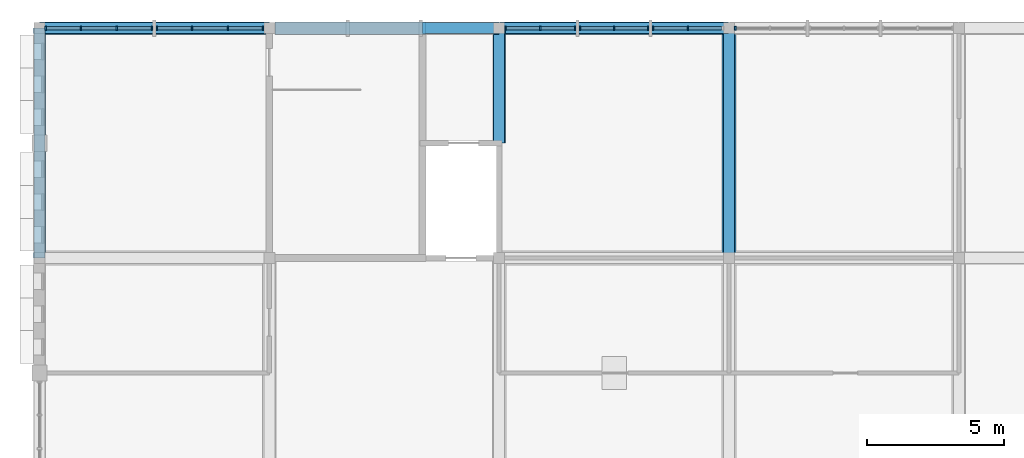
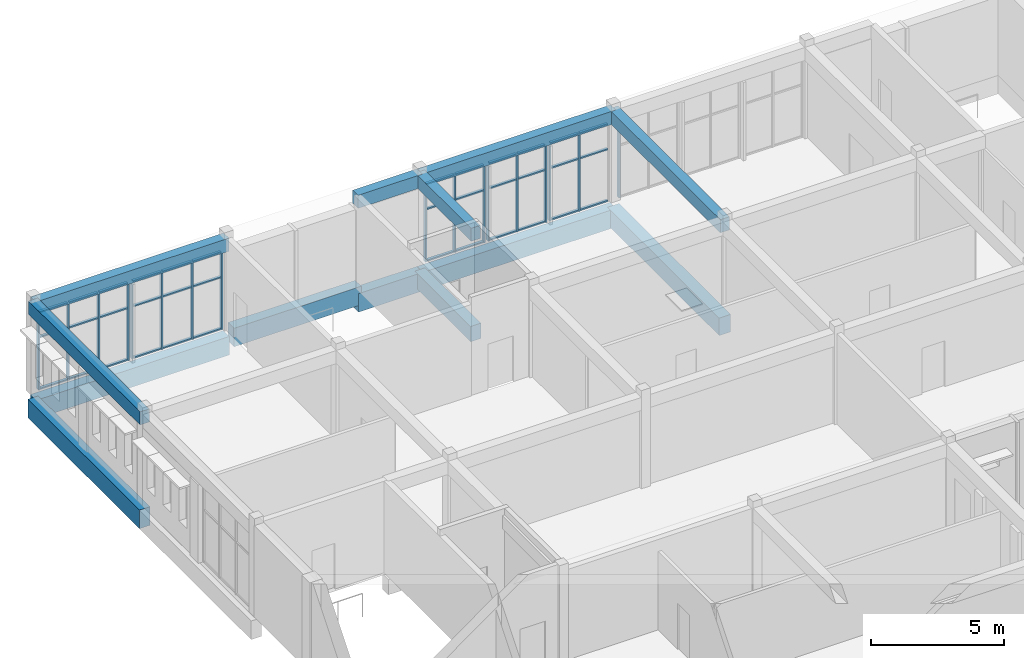
# One storey, part 6 of 15: 53 members, 13 beams, 6 elements without a shape of their own.
"""IFC4 building model written with IfcOpenShell, lengths in metres."""

from ifc_helpers import new_model, si_unit, direction, frame, origin, origin_2d, place, context, subcontext, project, spatial, rectangle, extrude, material, material_profile, profile_set, type_object, element, aggregate, save


model = new_model("IFC4")

# Units and contexts
model_context = context("Model", 3, precision=1e-05, world=origin(), true_north=direction((0.0, 1.0)))
body_context = subcontext(model_context, "Body", "Model", "MODEL_VIEW")
ifc_project = project(units=[si_unit("LENGTHUNIT", "METRE"), si_unit("AREAUNIT", "SQUARE_METRE"), si_unit("VOLUMEUNIT", "CUBIC_METRE"), si_unit("PLANEANGLEUNIT", "RADIAN"), si_unit("MASSUNIT", "GRAM", prefix="KILO")], contexts=[model_context])

# Site, building, storey
site_placement = place(None, origin())
site = spatial("IfcSite", under=ifc_project, at=site_placement, CompositionType="ELEMENT")
building_placement = place(site_placement, origin())
building = spatial("IfcBuilding", under=site, at=building_placement, Name="Fescue Hill Polytechnic", CompositionType="ELEMENT")
storey_placement = place(building_placement, frame((0.0, 0.0, 31.5)))
storey = spatial("IfcBuildingStorey", under=building, at=storey_placement, Name="L07", CompositionType="ELEMENT", Elevation=31.5)

# Beams
ifc_material_1 = material(Name="Concrete 35 MPa", Category="concrete")
ifc_material_profile_1 = material_profile(ifc_material_1, rectangle(XDim=0.39990234375, YDim=0.60009765625, at=origin_2d()), Name="RC 400x600")
ifc_profile_set_1 = profile_set([ifc_material_profile_1], Name="Concrete 35 MPa")
beam_type_1 = type_object("IfcBeamType", Name="Beam RC 400x600", PredefinedType="BEAM", material=ifc_profile_set_1)
beam_1_placement = place(storey_placement, frame((0.0, 126.0, 3.89990234375), z_axis=(0.0, 1.0, 0.0), x_axis=(-1.0, 0.0, 0.0)))
element("IfcBeam", 1, at=beam_1_placement, inside=storey, type_object=beam_type_1, Name="BR-L07-0007", PredefinedType="BEAM", context=body_context, shape_type="SweptSolid", body=[
    extrude(rectangle(XDim=0.39990234375, YDim=0.60009765625, at=origin_2d()), origin(), (0.0, 0.0, 1.0), 8.39990234375),
])
beam_2_placement = place(storey_placement, frame((0.010009765625, 134.39990234375, 3.89990234375), z_axis=(1.0, 0.0, 0.0), x_axis=(0.0, 1.0, 0.0)))
element("IfcBeam", 2, at=beam_2_placement, inside=storey, type_object=beam_type_1, Name="BR-L07-0013", PredefinedType="BEAM", context=body_context, shape_type="SweptSolid", body=[
    extrude(rectangle(XDim=0.39990234375, YDim=0.60009765625, at=origin_2d()), origin(), (0.0, 0.0, 1.0), 8.389892578125),
])
beam_3_placement = place(storey_placement, frame((14.0, 134.39990234375, 3.89990234375), z_axis=(1.0, 0.0, 0.0), x_axis=(0.0, 1.0, 0.0)))
element("IfcBeam", 3, at=beam_3_placement, inside=storey, type_object=beam_type_1, Name="BR-L07-0031", PredefinedType="BEAM", context=body_context, shape_type="SweptSolid", body=[
    extrude(rectangle(XDim=0.39990234375, YDim=0.60009765625, at=origin_2d()), origin(), (0.0, 0.0, 1.0), 2.7900390625),
])
beam_4_placement = place(storey_placement, frame((16.800048828125, 130.199951171875, 3.89990234375), z_axis=(0.0, 1.0, 0.0), x_axis=(-1.0, 0.0, 0.0)))
element("IfcBeam", 4, at=beam_4_placement, inside=storey, type_object=beam_type_1, Name="BR-L07-0042", PredefinedType="BEAM", context=body_context, shape_type="SweptSolid", body=[
    extrude(rectangle(XDim=0.39990234375, YDim=0.60009765625, at=origin_2d()), origin(), (0.0, 0.0, 1.0), 4.199951171875),
])
beam_5_placement = place(storey_placement, frame((16.81005859375, 134.39990234375, 3.89990234375), z_axis=(1.0, 0.0, 0.0), x_axis=(0.0, 1.0, 0.0)))
element("IfcBeam", 5, at=beam_5_placement, inside=storey, type_object=beam_type_1, Name="BR-L07-0050", PredefinedType="BEAM", context=body_context, shape_type="SweptSolid", body=[
    extrude(rectangle(XDim=0.39990234375, YDim=0.60009765625, at=origin_2d()), origin(), (0.0, 0.0, 1.0), 8.3798828125),
])
beam_6_placement = place(storey_placement, frame((25.199951171875, 126.0, 3.89990234375), z_axis=(0.0, 1.0, 0.0), x_axis=(-1.0, 0.0, 0.0)))
element("IfcBeam", 6, at=beam_6_placement, inside=storey, type_object=beam_type_1, Name="BR-L07-0058", PredefinedType="BEAM", context=body_context, shape_type="SweptSolid", body=[
    extrude(rectangle(XDim=0.39990234375, YDim=0.60009765625, at=origin_2d()), origin(), (0.0, 0.0, 1.0), 8.39990234375),
])
ifc_material_profile_2 = material_profile(ifc_material_1, rectangle(XDim=0.449951171875, YDim=0.699951171875, at=origin_2d()), Name="RC 450x700")
ifc_profile_set_2 = profile_set([ifc_material_profile_2], Name="Concrete 35 MPa")
beam_type_2 = type_object("IfcBeamType", Name="Beam RC 450x700", PredefinedType="BEAM", material=ifc_profile_set_2)
beam_7_placement = place(storey_placement, frame((16.800048828125, 130.199951171875, -0.64990234375), z_axis=(0.0, 1.0, 0.0), x_axis=(-1.0, 0.0, 0.0)))
element("IfcBeam", 7, at=beam_7_placement, inside=storey, type_object=beam_type_2, Name="BM-L07-0042", PredefinedType="BEAM", context=body_context, shape_type="SweptSolid", body=[
    extrude(rectangle(XDim=0.449951171875, YDim=0.699951171875, at=origin_2d()), origin(), (0.0, 0.0, 1.0), 4.199951171875),
])
ifc_material_profile_3 = material_profile(ifc_material_1, rectangle(XDim=0.449951171875, YDim=0.85009765625, at=origin_2d()), Name="RC 450x850")
ifc_profile_set_3 = profile_set([ifc_material_profile_3], Name="Concrete 35 MPa")
beam_type_3 = type_object("IfcBeamType", Name="Beam RC 450x850", PredefinedType="BEAM", material=ifc_profile_set_3)
beam_8_placement = place(storey_placement, frame((0.0, 126.0, -0.72509765625), z_axis=(0.0, 1.0, 0.0), x_axis=(-1.0, 0.0, 0.0)))
element("IfcBeam", 8, at=beam_8_placement, inside=storey, type_object=beam_type_3, Name="BM-L07-0007", PredefinedType="BEAM", context=body_context, shape_type="SweptSolid", body=[
    extrude(rectangle(XDim=0.449951171875, YDim=0.85009765625, at=origin_2d()), origin(), (0.0, 0.0, 1.0), 8.39990234375),
])
beam_9_placement = place(storey_placement, frame((0.010009765625, 134.39990234375, -0.72509765625), z_axis=(1.0, 0.0, 0.0), x_axis=(0.0, 1.0, 0.0)))
element("IfcBeam", 9, at=beam_9_placement, inside=storey, type_object=beam_type_3, Name="BM-L07-0013", PredefinedType="BEAM", context=body_context, shape_type="SweptSolid", body=[
    extrude(rectangle(XDim=0.449951171875, YDim=0.85009765625, at=origin_2d()), origin(), (0.0, 0.0, 1.0), 8.389892578125),
])
beam_10_placement = place(storey_placement, frame((14.0, 134.39990234375, -0.72509765625), z_axis=(1.0, 0.0, 0.0), x_axis=(0.0, 1.0, 0.0)))
element("IfcBeam", 10, at=beam_10_placement, inside=storey, type_object=beam_type_3, Name="BM-L07-0031", PredefinedType="BEAM", context=body_context, shape_type="SweptSolid", body=[
    extrude(rectangle(XDim=0.449951171875, YDim=0.85009765625, at=origin_2d()), origin(), (0.0, 0.0, 1.0), 2.7900390625),
])
beam_11_placement = place(storey_placement, frame((16.81005859375, 134.39990234375, -0.72509765625), z_axis=(1.0, 0.0, 0.0), x_axis=(0.0, 1.0, 0.0)))
element("IfcBeam", 11, at=beam_11_placement, inside=storey, type_object=beam_type_3, Name="BM-L07-0050", PredefinedType="BEAM", context=body_context, shape_type="SweptSolid", body=[
    extrude(rectangle(XDim=0.449951171875, YDim=0.85009765625, at=origin_2d()), origin(), (0.0, 0.0, 1.0), 8.3798828125),
])
beam_12_placement = place(storey_placement, frame((8.60009765625, 134.39990234375, -0.425048828125), z_axis=(1.0, 0.0, 0.0), x_axis=(0.0, 1.0, 0.0)))
element("IfcBeam", 12, at=beam_12_placement, inside=storey, type_object=beam_type_3, Name="BM-L07-0073", PredefinedType="BEAM", context=body_context, shape_type="SweptSolid", body=[
    extrude(rectangle(XDim=0.449951171875, YDim=0.85009765625, at=origin_2d()), origin(), (0.0, 0.0, 1.0), 5.52490234375),
])
ifc_material_profile_4 = material_profile(ifc_material_1, rectangle(XDim=0.5, YDim=0.800048828125, at=origin_2d()), Name="RC 500x800")
ifc_profile_set_4 = profile_set([ifc_material_profile_4], Name="Concrete 35 MPa")
beam_type_4 = type_object("IfcBeamType", Name="Beam RC 500x800", PredefinedType="BEAM", material=ifc_profile_set_4)
beam_13_placement = place(storey_placement, frame((25.199951171875, 126.0, -0.699951171875), z_axis=(0.0, 1.0, 0.0), x_axis=(-1.0, 0.0, 0.0)))
element("IfcBeam", 13, at=beam_13_placement, inside=storey, type_object=beam_type_4, Name="BM-L07-0058", PredefinedType="BEAM", context=body_context, shape_type="SweptSolid", body=[
    extrude(rectangle(XDim=0.5, YDim=0.800048828125, at=origin_2d()), origin(), (0.0, 0.0, 1.0), 8.39990234375),
])

# Curtain wall, member
ifc_material_2 = material(Name="Glass", Category="glass")
curtain_wall_type = type_object("IfcCurtainWallType", Name="Curtain wall structural glazing", PredefinedType="NOTDEFINED", material=ifc_material_2)
curtain_wall_1_placement = place(storey_placement, origin())
curtain_wall_1 = element("IfcCurtainWall", 14, at=curtain_wall_1_placement, inside=storey, type_object=curtain_wall_type, Name="CW-L07-V5-3", PredefinedType="NOTDEFINED")
ifc_material_3 = material(Name="Powder-coated aluminium", Category="aluminium")
ifc_material_profile_5 = material_profile(ifc_material_3, rectangle(XDim=0.159912109375, YDim=0.06005859375, at=origin_2d()), Name="Mullion aluminium 60x160")
ifc_profile_set_5 = profile_set([ifc_material_profile_5], Name="Powder-coated aluminium")
member_type_1 = type_object("IfcMemberType", Name="Mullion aluminium 60x160", PredefinedType="MULLION", material=ifc_profile_set_5)
member_1_placement = place(storey_placement, frame((25.429931640625, 134.39990234375, 0.0), z_axis=(0.0, 0.0, 1.0), x_axis=(0.0, -1.0, 0.0)))
member_1 = element("IfcMember", 15, at=member_1_placement, type_object=member_type_1, Name="CW108 mullion 3", PredefinedType="MULLION", context=body_context, shape_type="SweptSolid", body=[
    extrude(rectangle(XDim=0.159912109375, YDim=0.06005859375, at=origin_2d()), origin(), (0.0, 0.0, 1.0), 3.580078125),
])
aggregate(curtain_wall_1, [member_1])

# Curtain wall, members
curtain_wall_2_placement = place(storey_placement, origin())
curtain_wall_2 = element("IfcCurtainWall", 16, at=curtain_wall_2_placement, inside=storey, type_object=curtain_wall_type, Name="CW-L07-V5-4", PredefinedType="NOTDEFINED")
member_2_placement = place(storey_placement, frame((23.696533203125, 134.39990234375, 0.0), z_axis=(0.0, 0.0, 1.0), x_axis=(0.0, -1.0, 0.0)))
member_2 = element("IfcMember", 17, at=member_2_placement, type_object=member_type_1, Name="CW109 mullion 2", PredefinedType="MULLION", context=body_context, shape_type="SweptSolid", body=[
    extrude(rectangle(XDim=0.159912109375, YDim=0.06005859375, at=origin_2d()), origin(), (0.0, 0.0, 1.0), 3.580078125),
])
member_3_placement = place(storey_placement, frame((22.42333984375, 134.39990234375, 0.0), z_axis=(0.0, 0.0, 1.0), x_axis=(0.0, -1.0, 0.0)))
member_3 = element("IfcMember", 18, at=member_3_placement, type_object=member_type_1, Name="CW109 mullion 3", PredefinedType="MULLION", context=body_context, shape_type="SweptSolid", body=[
    extrude(rectangle(XDim=0.159912109375, YDim=0.06005859375, at=origin_2d()), origin(), (0.0, 0.0, 1.0), 3.580078125),
])

curtain_wall_3_placement = place(storey_placement, origin())
curtain_wall_3 = element("IfcCurtainWall", 19, at=curtain_wall_3_placement, inside=storey, type_object=curtain_wall_type, Name="CW-L07-V5-5", PredefinedType="NOTDEFINED")
member_4_placement = place(storey_placement, frame((22.243408203125, 134.39990234375, 0.0), z_axis=(0.0, 0.0, 1.0), x_axis=(0.0, -1.0, 0.0)))
member_4 = element("IfcMember", 20, at=member_4_placement, type_object=member_type_1, Name="CW110 mullion 1", PredefinedType="MULLION", context=body_context, shape_type="SweptSolid", body=[
    extrude(rectangle(XDim=0.159912109375, YDim=0.06005859375, at=origin_2d()), origin(), (0.0, 0.0, 1.0), 3.580078125),
])
member_5_placement = place(storey_placement, frame((21.0, 134.39990234375, 0.0), z_axis=(0.0, 0.0, 1.0), x_axis=(0.0, -1.0, 0.0)))
member_5 = element("IfcMember", 21, at=member_5_placement, type_object=member_type_1, Name="CW110 mullion 2", PredefinedType="MULLION", context=body_context, shape_type="SweptSolid", body=[
    extrude(rectangle(XDim=0.159912109375, YDim=0.06005859375, at=origin_2d()), origin(), (0.0, 0.0, 1.0), 3.580078125),
])
member_6_placement = place(storey_placement, frame((19.756591796875, 134.39990234375, 0.0), z_axis=(0.0, 0.0, 1.0), x_axis=(0.0, -1.0, 0.0)))
member_6 = element("IfcMember", 22, at=member_6_placement, type_object=member_type_1, Name="CW110 mullion 3", PredefinedType="MULLION", context=body_context, shape_type="SweptSolid", body=[
    extrude(rectangle(XDim=0.159912109375, YDim=0.06005859375, at=origin_2d()), origin(), (0.0, 0.0, 1.0), 3.580078125),
])

curtain_wall_4_placement = place(storey_placement, origin())
curtain_wall_4 = element("IfcCurtainWall", 23, at=curtain_wall_4_placement, inside=storey, type_object=curtain_wall_type, Name="CW-L07-V5-6", PredefinedType="NOTDEFINED")
member_7_placement = place(storey_placement, frame((19.57666015625, 134.39990234375, 0.0), z_axis=(0.0, 0.0, 1.0), x_axis=(0.0, -1.0, 0.0)))
member_7 = element("IfcMember", 24, at=member_7_placement, type_object=member_type_1, Name="CW111 mullion 1", PredefinedType="MULLION", context=body_context, shape_type="SweptSolid", body=[
    extrude(rectangle(XDim=0.159912109375, YDim=0.06005859375, at=origin_2d()), origin(), (0.0, 0.0, 1.0), 3.580078125),
])
member_8_placement = place(storey_placement, frame((18.303466796875, 134.39990234375, 0.0), z_axis=(0.0, 0.0, 1.0), x_axis=(0.0, -1.0, 0.0)))
member_8 = element("IfcMember", 25, at=member_8_placement, type_object=member_type_1, Name="CW111 mullion 2", PredefinedType="MULLION", context=body_context, shape_type="SweptSolid", body=[
    extrude(rectangle(XDim=0.159912109375, YDim=0.06005859375, at=origin_2d()), origin(), (0.0, 0.0, 1.0), 3.580078125),
])
member_9_placement = place(storey_placement, frame((17.030029296875, 134.39990234375, 0.0), z_axis=(0.0, 0.0, 1.0), x_axis=(0.0, -1.0, 0.0)))
member_9 = element("IfcMember", 26, at=member_9_placement, type_object=member_type_1, Name="CW111 mullion 3", PredefinedType="MULLION", context=body_context, shape_type="SweptSolid", body=[
    extrude(rectangle(XDim=0.159912109375, YDim=0.06005859375, at=origin_2d()), origin(), (0.0, 0.0, 1.0), 3.580078125),
])

curtain_wall_5_placement = place(storey_placement, origin())
curtain_wall_5 = element("IfcCurtainWall", 27, at=curtain_wall_5_placement, inside=storey, type_object=curtain_wall_type, Name="CW-L07-V5-7", PredefinedType="NOTDEFINED")
member_10_placement = place(storey_placement, frame((4.110107421875, 134.39990234375, 0.0), z_axis=(0.0, 0.0, 1.0), x_axis=(0.0, -1.0, 0.0)))
member_10 = element("IfcMember", 28, at=member_10_placement, type_object=member_type_1, Name="CW112 mullion 1", PredefinedType="MULLION", context=body_context, shape_type="SweptSolid", body=[
    extrude(rectangle(XDim=0.159912109375, YDim=0.06005859375, at=origin_2d()), origin(), (0.0, 0.0, 1.0), 3.580078125),
])
member_11_placement = place(storey_placement, frame((2.82666015625, 134.39990234375, 0.0), z_axis=(0.0, 0.0, 1.0), x_axis=(0.0, -1.0, 0.0)))
member_11 = element("IfcMember", 29, at=member_11_placement, type_object=member_type_1, Name="CW112 mullion 2", PredefinedType="MULLION", context=body_context, shape_type="SweptSolid", body=[
    extrude(rectangle(XDim=0.159912109375, YDim=0.06005859375, at=origin_2d()), origin(), (0.0, 0.0, 1.0), 3.580078125),
])
member_12_placement = place(storey_placement, frame((1.513427734375, 134.39990234375, 0.0), z_axis=(0.0, 0.0, 1.0), x_axis=(0.0, -1.0, 0.0)))
member_12 = element("IfcMember", 30, at=member_12_placement, type_object=member_type_1, Name="CW112 mullion 3", PredefinedType="MULLION", context=body_context, shape_type="SweptSolid", body=[
    extrude(rectangle(XDim=0.159912109375, YDim=0.06005859375, at=origin_2d()), origin(), (0.0, 0.0, 1.0), 3.580078125),
])
member_13_placement = place(storey_placement, frame((0.22998046875, 134.39990234375, 0.0), z_axis=(0.0, 0.0, 1.0), x_axis=(0.0, -1.0, 0.0)))
member_13 = element("IfcMember", 31, at=member_13_placement, type_object=member_type_1, Name="CW112 mullion 4", PredefinedType="MULLION", context=body_context, shape_type="SweptSolid", body=[
    extrude(rectangle(XDim=0.159912109375, YDim=0.06005859375, at=origin_2d()), origin(), (0.0, 0.0, 1.0), 3.580078125),
])

curtain_wall_6_placement = place(storey_placement, origin())
curtain_wall_6 = element("IfcCurtainWall", 32, at=curtain_wall_6_placement, inside=storey, type_object=curtain_wall_type, Name="CW-L07-V5-X3", PredefinedType="NOTDEFINED")
member_14_placement = place(storey_placement, frame((8.169921875, 134.39990234375, 0.0), z_axis=(0.0, 0.0, 1.0), x_axis=(0.0, -1.0, 0.0)))
member_14 = element("IfcMember", 33, at=member_14_placement, type_object=member_type_1, Name="CW162 mullion 1", PredefinedType="MULLION", context=body_context, shape_type="SweptSolid", body=[
    extrude(rectangle(XDim=0.159912109375, YDim=0.06005859375, at=origin_2d()), origin(), (0.0, 0.0, 1.0), 3.580078125),
])
member_15_placement = place(storey_placement, frame((6.88671875, 134.39990234375, 0.0), z_axis=(0.0, 0.0, 1.0), x_axis=(0.0, -1.0, 0.0)))
member_15 = element("IfcMember", 34, at=member_15_placement, type_object=member_type_1, Name="CW162 mullion 2", PredefinedType="MULLION", context=body_context, shape_type="SweptSolid", body=[
    extrude(rectangle(XDim=0.159912109375, YDim=0.06005859375, at=origin_2d()), origin(), (0.0, 0.0, 1.0), 3.580078125),
])
member_16_placement = place(storey_placement, frame((5.5732421875, 134.39990234375, 0.0), z_axis=(0.0, 0.0, 1.0), x_axis=(0.0, -1.0, 0.0)))
member_16 = element("IfcMember", 35, at=member_16_placement, type_object=member_type_1, Name="CW162 mullion 3", PredefinedType="MULLION", context=body_context, shape_type="SweptSolid", body=[
    extrude(rectangle(XDim=0.159912109375, YDim=0.06005859375, at=origin_2d()), origin(), (0.0, 0.0, 1.0), 3.580078125),
])
member_17_placement = place(storey_placement, frame((4.2900390625, 134.39990234375, 0.0), z_axis=(0.0, 0.0, 1.0), x_axis=(0.0, -1.0, 0.0)))
member_17 = element("IfcMember", 36, at=member_17_placement, type_object=member_type_1, Name="CW162 mullion 4", PredefinedType="MULLION", context=body_context, shape_type="SweptSolid", body=[
    extrude(rectangle(XDim=0.159912109375, YDim=0.06005859375, at=origin_2d()), origin(), (0.0, 0.0, 1.0), 3.580078125),
])

# Member
ifc_material_profile_6 = material_profile(ifc_material_3, rectangle(XDim=0.1201171875, YDim=0.06005859375, at=origin_2d()), Name="Transom aluminium 60x120")
ifc_profile_set_6 = profile_set([ifc_material_profile_6], Name="Powder-coated aluminium")
member_type_2 = type_object("IfcMemberType", Name="Transom aluminium 60x120", PredefinedType="USERDEFINED", material=ifc_profile_set_6)
member_18_placement = place(storey_placement, frame((24.93994140625, 134.39990234375, 0.030029296875), z_axis=(-1.0, 0.0, 0.0), x_axis=(0.0, -1.0, 0.0)))
member_18 = element("IfcMember", 37, at=member_18_placement, type_object=member_type_2, Name="CW109 transom 1.1", ObjectType="TRANSOM", PredefinedType="USERDEFINED", context=body_context, shape_type="SweptSolid", body=[
    extrude(rectangle(XDim=0.1201171875, YDim=0.06005859375, at=origin_2d()), origin(), (0.0, 0.0, 1.0), 1.21337890625),
])

member_19_placement = place(storey_placement, frame((24.93994140625, 134.39990234375, 2.39990234375), z_axis=(-1.0, 0.0, 0.0), x_axis=(0.0, -1.0, 0.0)))
member_19 = element("IfcMember", 38, at=member_19_placement, type_object=member_type_2, Name="CW109 transom 1.2", ObjectType="TRANSOM", PredefinedType="USERDEFINED", context=body_context, shape_type="SweptSolid", body=[
    extrude(rectangle(XDim=0.1201171875, YDim=0.06005859375, at=origin_2d()), origin(), (0.0, 0.0, 1.0), 1.21337890625),
])

member_20_placement = place(storey_placement, frame((24.93994140625, 134.39990234375, 3.550048828125), z_axis=(-1.0, 0.0, 0.0), x_axis=(0.0, -1.0, 0.0)))
member_20 = element("IfcMember", 39, at=member_20_placement, type_object=member_type_2, Name="CW109 transom 1.3", ObjectType="TRANSOM", PredefinedType="USERDEFINED", context=body_context, shape_type="SweptSolid", body=[
    extrude(rectangle(XDim=0.1201171875, YDim=0.06005859375, at=origin_2d()), origin(), (0.0, 0.0, 1.0), 1.21337890625),
])

member_21_placement = place(storey_placement, frame((23.666748046875, 134.39990234375, 0.030029296875), z_axis=(-1.0, 0.0, 0.0), x_axis=(0.0, -1.0, 0.0)))
member_21 = element("IfcMember", 40, at=member_21_placement, type_object=member_type_2, Name="CW109 transom 2.1", ObjectType="TRANSOM", PredefinedType="USERDEFINED", context=body_context, shape_type="SweptSolid", body=[
    extrude(rectangle(XDim=0.1201171875, YDim=0.06005859375, at=origin_2d()), origin(), (0.0, 0.0, 1.0), 1.21337890625),
])

member_22_placement = place(storey_placement, frame((23.666748046875, 134.39990234375, 2.39990234375), z_axis=(-1.0, 0.0, 0.0), x_axis=(0.0, -1.0, 0.0)))
member_22 = element("IfcMember", 41, at=member_22_placement, type_object=member_type_2, Name="CW109 transom 2.2", ObjectType="TRANSOM", PredefinedType="USERDEFINED", context=body_context, shape_type="SweptSolid", body=[
    extrude(rectangle(XDim=0.1201171875, YDim=0.06005859375, at=origin_2d()), origin(), (0.0, 0.0, 1.0), 1.21337890625),
])

member_23_placement = place(storey_placement, frame((23.666748046875, 134.39990234375, 3.550048828125), z_axis=(-1.0, 0.0, 0.0), x_axis=(0.0, -1.0, 0.0)))
member_23 = element("IfcMember", 42, at=member_23_placement, type_object=member_type_2, Name="CW109 transom 2.3", ObjectType="TRANSOM", PredefinedType="USERDEFINED", context=body_context, shape_type="SweptSolid", body=[
    extrude(rectangle(XDim=0.1201171875, YDim=0.06005859375, at=origin_2d()), origin(), (0.0, 0.0, 1.0), 1.21337890625),
])

aggregate(curtain_wall_2, [member_2, member_3, member_18, member_19, member_20, member_21, member_22, member_23])

member_24_placement = place(storey_placement, frame((22.21337890625, 134.39990234375, 0.030029296875), z_axis=(-1.0, 0.0, 0.0), x_axis=(0.0, -1.0, 0.0)))
member_24 = element("IfcMember", 43, at=member_24_placement, type_object=member_type_2, Name="CW110 transom 1.1", ObjectType="TRANSOM", PredefinedType="USERDEFINED", context=body_context, shape_type="SweptSolid", body=[
    extrude(rectangle(XDim=0.1201171875, YDim=0.06005859375, at=origin_2d()), origin(), (0.0, 0.0, 1.0), 1.183349609375),
])

member_25_placement = place(storey_placement, frame((22.21337890625, 134.39990234375, 2.39990234375), z_axis=(-1.0, 0.0, 0.0), x_axis=(0.0, -1.0, 0.0)))
member_25 = element("IfcMember", 44, at=member_25_placement, type_object=member_type_2, Name="CW110 transom 1.2", ObjectType="TRANSOM", PredefinedType="USERDEFINED", context=body_context, shape_type="SweptSolid", body=[
    extrude(rectangle(XDim=0.1201171875, YDim=0.06005859375, at=origin_2d()), origin(), (0.0, 0.0, 1.0), 1.183349609375),
])

member_26_placement = place(storey_placement, frame((22.21337890625, 134.39990234375, 3.550048828125), z_axis=(-1.0, 0.0, 0.0), x_axis=(0.0, -1.0, 0.0)))
member_26 = element("IfcMember", 45, at=member_26_placement, type_object=member_type_2, Name="CW110 transom 1.3", ObjectType="TRANSOM", PredefinedType="USERDEFINED", context=body_context, shape_type="SweptSolid", body=[
    extrude(rectangle(XDim=0.1201171875, YDim=0.06005859375, at=origin_2d()), origin(), (0.0, 0.0, 1.0), 1.183349609375),
])

member_27_placement = place(storey_placement, frame((20.969970703125, 134.39990234375, 0.030029296875), z_axis=(-1.0, 0.0, 0.0), x_axis=(0.0, -1.0, 0.0)))
member_27 = element("IfcMember", 46, at=member_27_placement, type_object=member_type_2, Name="CW110 transom 2.1", ObjectType="TRANSOM", PredefinedType="USERDEFINED", context=body_context, shape_type="SweptSolid", body=[
    extrude(rectangle(XDim=0.1201171875, YDim=0.06005859375, at=origin_2d()), origin(), (0.0, 0.0, 1.0), 1.183349609375),
])

member_28_placement = place(storey_placement, frame((20.969970703125, 134.39990234375, 2.39990234375), z_axis=(-1.0, 0.0, 0.0), x_axis=(0.0, -1.0, 0.0)))
member_28 = element("IfcMember", 47, at=member_28_placement, type_object=member_type_2, Name="CW110 transom 2.2", ObjectType="TRANSOM", PredefinedType="USERDEFINED", context=body_context, shape_type="SweptSolid", body=[
    extrude(rectangle(XDim=0.1201171875, YDim=0.06005859375, at=origin_2d()), origin(), (0.0, 0.0, 1.0), 1.183349609375),
])

member_29_placement = place(storey_placement, frame((20.969970703125, 134.39990234375, 3.550048828125), z_axis=(-1.0, 0.0, 0.0), x_axis=(0.0, -1.0, 0.0)))
member_29 = element("IfcMember", 48, at=member_29_placement, type_object=member_type_2, Name="CW110 transom 2.3", ObjectType="TRANSOM", PredefinedType="USERDEFINED", context=body_context, shape_type="SweptSolid", body=[
    extrude(rectangle(XDim=0.1201171875, YDim=0.06005859375, at=origin_2d()), origin(), (0.0, 0.0, 1.0), 1.183349609375),
])

aggregate(curtain_wall_3, [member_4, member_5, member_6, member_24, member_25, member_26, member_27, member_28, member_29])

member_30_placement = place(storey_placement, frame((19.546630859375, 134.39990234375, 0.030029296875), z_axis=(-1.0, 0.0, 0.0), x_axis=(0.0, -1.0, 0.0)))
member_30 = element("IfcMember", 49, at=member_30_placement, type_object=member_type_2, Name="CW111 transom 1.1", ObjectType="TRANSOM", PredefinedType="USERDEFINED", context=body_context, shape_type="SweptSolid", body=[
    extrude(rectangle(XDim=0.1201171875, YDim=0.06005859375, at=origin_2d()), origin(), (0.0, 0.0, 1.0), 1.21337890625),
])

member_31_placement = place(storey_placement, frame((19.546630859375, 134.39990234375, 2.39990234375), z_axis=(-1.0, 0.0, 0.0), x_axis=(0.0, -1.0, 0.0)))
member_31 = element("IfcMember", 50, at=member_31_placement, type_object=member_type_2, Name="CW111 transom 1.2", ObjectType="TRANSOM", PredefinedType="USERDEFINED", context=body_context, shape_type="SweptSolid", body=[
    extrude(rectangle(XDim=0.1201171875, YDim=0.06005859375, at=origin_2d()), origin(), (0.0, 0.0, 1.0), 1.21337890625),
])

member_32_placement = place(storey_placement, frame((19.546630859375, 134.39990234375, 3.550048828125), z_axis=(-1.0, 0.0, 0.0), x_axis=(0.0, -1.0, 0.0)))
member_32 = element("IfcMember", 51, at=member_32_placement, type_object=member_type_2, Name="CW111 transom 1.3", ObjectType="TRANSOM", PredefinedType="USERDEFINED", context=body_context, shape_type="SweptSolid", body=[
    extrude(rectangle(XDim=0.1201171875, YDim=0.06005859375, at=origin_2d()), origin(), (0.0, 0.0, 1.0), 1.21337890625),
])

member_33_placement = place(storey_placement, frame((18.2734375, 134.39990234375, 0.030029296875), z_axis=(-1.0, 0.0, 0.0), x_axis=(0.0, -1.0, 0.0)))
member_33 = element("IfcMember", 52, at=member_33_placement, type_object=member_type_2, Name="CW111 transom 2.1", ObjectType="TRANSOM", PredefinedType="USERDEFINED", context=body_context, shape_type="SweptSolid", body=[
    extrude(rectangle(XDim=0.1201171875, YDim=0.06005859375, at=origin_2d()), origin(), (0.0, 0.0, 1.0), 1.21337890625),
])

member_34_placement = place(storey_placement, frame((18.2734375, 134.39990234375, 2.39990234375), z_axis=(-1.0, 0.0, 0.0), x_axis=(0.0, -1.0, 0.0)))
member_34 = element("IfcMember", 53, at=member_34_placement, type_object=member_type_2, Name="CW111 transom 2.2", ObjectType="TRANSOM", PredefinedType="USERDEFINED", context=body_context, shape_type="SweptSolid", body=[
    extrude(rectangle(XDim=0.1201171875, YDim=0.06005859375, at=origin_2d()), origin(), (0.0, 0.0, 1.0), 1.21337890625),
])

member_35_placement = place(storey_placement, frame((18.2734375, 134.39990234375, 3.550048828125), z_axis=(-1.0, 0.0, 0.0), x_axis=(0.0, -1.0, 0.0)))
member_35 = element("IfcMember", 54, at=member_35_placement, type_object=member_type_2, Name="CW111 transom 2.3", ObjectType="TRANSOM", PredefinedType="USERDEFINED", context=body_context, shape_type="SweptSolid", body=[
    extrude(rectangle(XDim=0.1201171875, YDim=0.06005859375, at=origin_2d()), origin(), (0.0, 0.0, 1.0), 1.21337890625),
])

aggregate(curtain_wall_4, [member_7, member_8, member_9, member_30, member_31, member_32, member_33, member_34, member_35])

member_36_placement = place(storey_placement, frame((4.080078125, 134.39990234375, 0.030029296875), z_axis=(-1.0, 0.0, 0.0), x_axis=(0.0, -1.0, 0.0)))
member_36 = element("IfcMember", 55, at=member_36_placement, type_object=member_type_2, Name="CW112 transom 1.1", ObjectType="TRANSOM", PredefinedType="USERDEFINED", context=body_context, shape_type="SweptSolid", body=[
    extrude(rectangle(XDim=0.1201171875, YDim=0.06005859375, at=origin_2d()), origin(), (0.0, 0.0, 1.0), 1.223388671875),
])

member_37_placement = place(storey_placement, frame((4.080078125, 134.39990234375, 2.39990234375), z_axis=(-1.0, 0.0, 0.0), x_axis=(0.0, -1.0, 0.0)))
member_37 = element("IfcMember", 56, at=member_37_placement, type_object=member_type_2, Name="CW112 transom 1.2", ObjectType="TRANSOM", PredefinedType="USERDEFINED", context=body_context, shape_type="SweptSolid", body=[
    extrude(rectangle(XDim=0.1201171875, YDim=0.06005859375, at=origin_2d()), origin(), (0.0, 0.0, 1.0), 1.223388671875),
])

member_38_placement = place(storey_placement, frame((4.080078125, 134.39990234375, 3.550048828125), z_axis=(-1.0, 0.0, 0.0), x_axis=(0.0, -1.0, 0.0)))
member_38 = element("IfcMember", 57, at=member_38_placement, type_object=member_type_2, Name="CW112 transom 1.3", ObjectType="TRANSOM", PredefinedType="USERDEFINED", context=body_context, shape_type="SweptSolid", body=[
    extrude(rectangle(XDim=0.1201171875, YDim=0.06005859375, at=origin_2d()), origin(), (0.0, 0.0, 1.0), 1.223388671875),
])

member_39_placement = place(storey_placement, frame((2.796630859375, 134.39990234375, 0.030029296875), z_axis=(-1.0, 0.0, 0.0), x_axis=(0.0, -1.0, 0.0)))
member_39 = element("IfcMember", 58, at=member_39_placement, type_object=member_type_2, Name="CW112 transom 2.1", ObjectType="TRANSOM", PredefinedType="USERDEFINED", context=body_context, shape_type="SweptSolid", body=[
    extrude(rectangle(XDim=0.1201171875, YDim=0.06005859375, at=origin_2d()), origin(), (0.0, 0.0, 1.0), 1.25341796875),
])

member_40_placement = place(storey_placement, frame((2.796630859375, 134.39990234375, 2.39990234375), z_axis=(-1.0, 0.0, 0.0), x_axis=(0.0, -1.0, 0.0)))
member_40 = element("IfcMember", 59, at=member_40_placement, type_object=member_type_2, Name="CW112 transom 2.2", ObjectType="TRANSOM", PredefinedType="USERDEFINED", context=body_context, shape_type="SweptSolid", body=[
    extrude(rectangle(XDim=0.1201171875, YDim=0.06005859375, at=origin_2d()), origin(), (0.0, 0.0, 1.0), 1.25341796875),
])

member_41_placement = place(storey_placement, frame((2.796630859375, 134.39990234375, 3.550048828125), z_axis=(-1.0, 0.0, 0.0), x_axis=(0.0, -1.0, 0.0)))
member_41 = element("IfcMember", 60, at=member_41_placement, type_object=member_type_2, Name="CW112 transom 2.3", ObjectType="TRANSOM", PredefinedType="USERDEFINED", context=body_context, shape_type="SweptSolid", body=[
    extrude(rectangle(XDim=0.1201171875, YDim=0.06005859375, at=origin_2d()), origin(), (0.0, 0.0, 1.0), 1.25341796875),
])

member_42_placement = place(storey_placement, frame((1.4833984375, 134.39990234375, 0.030029296875), z_axis=(-1.0, 0.0, 0.0), x_axis=(0.0, -1.0, 0.0)))
member_42 = element("IfcMember", 61, at=member_42_placement, type_object=member_type_2, Name="CW112 transom 3.1", ObjectType="TRANSOM", PredefinedType="USERDEFINED", context=body_context, shape_type="SweptSolid", body=[
    extrude(rectangle(XDim=0.1201171875, YDim=0.06005859375, at=origin_2d()), origin(), (0.0, 0.0, 1.0), 1.223388671875),
])

member_43_placement = place(storey_placement, frame((1.4833984375, 134.39990234375, 2.39990234375), z_axis=(-1.0, 0.0, 0.0), x_axis=(0.0, -1.0, 0.0)))
member_43 = element("IfcMember", 62, at=member_43_placement, type_object=member_type_2, Name="CW112 transom 3.2", ObjectType="TRANSOM", PredefinedType="USERDEFINED", context=body_context, shape_type="SweptSolid", body=[
    extrude(rectangle(XDim=0.1201171875, YDim=0.06005859375, at=origin_2d()), origin(), (0.0, 0.0, 1.0), 1.223388671875),
])

member_44_placement = place(storey_placement, frame((1.4833984375, 134.39990234375, 3.550048828125), z_axis=(-1.0, 0.0, 0.0), x_axis=(0.0, -1.0, 0.0)))
member_44 = element("IfcMember", 63, at=member_44_placement, type_object=member_type_2, Name="CW112 transom 3.3", ObjectType="TRANSOM", PredefinedType="USERDEFINED", context=body_context, shape_type="SweptSolid", body=[
    extrude(rectangle(XDim=0.1201171875, YDim=0.06005859375, at=origin_2d()), origin(), (0.0, 0.0, 1.0), 1.223388671875),
])

aggregate(curtain_wall_5, [member_10, member_11, member_12, member_13, member_36, member_37, member_38, member_39, member_40, member_41, member_42, member_43, member_44])

member_45_placement = place(storey_placement, frame((8.139892578125, 134.39990234375, 0.030029296875), z_axis=(-1.0, 0.0, 0.0), x_axis=(0.0, -1.0, 0.0)))
member_45 = element("IfcMember", 64, at=member_45_placement, type_object=member_type_2, Name="CW162 transom 1.1", ObjectType="TRANSOM", PredefinedType="USERDEFINED", context=body_context, shape_type="SweptSolid", body=[
    extrude(rectangle(XDim=0.1201171875, YDim=0.06005859375, at=origin_2d()), origin(), (0.0, 0.0, 1.0), 1.22314453125),
])

member_46_placement = place(storey_placement, frame((8.139892578125, 134.39990234375, 2.39990234375), z_axis=(-1.0, 0.0, 0.0), x_axis=(0.0, -1.0, 0.0)))
member_46 = element("IfcMember", 65, at=member_46_placement, type_object=member_type_2, Name="CW162 transom 1.2", ObjectType="TRANSOM", PredefinedType="USERDEFINED", context=body_context, shape_type="SweptSolid", body=[
    extrude(rectangle(XDim=0.1201171875, YDim=0.06005859375, at=origin_2d()), origin(), (0.0, 0.0, 1.0), 1.22314453125),
])

member_47_placement = place(storey_placement, frame((8.139892578125, 134.39990234375, 3.550048828125), z_axis=(-1.0, 0.0, 0.0), x_axis=(0.0, -1.0, 0.0)))
member_47 = element("IfcMember", 66, at=member_47_placement, type_object=member_type_2, Name="CW162 transom 1.3", ObjectType="TRANSOM", PredefinedType="USERDEFINED", context=body_context, shape_type="SweptSolid", body=[
    extrude(rectangle(XDim=0.1201171875, YDim=0.06005859375, at=origin_2d()), origin(), (0.0, 0.0, 1.0), 1.22314453125),
])

member_48_placement = place(storey_placement, frame((6.856689453125, 134.39990234375, 0.030029296875), z_axis=(-1.0, 0.0, 0.0), x_axis=(0.0, -1.0, 0.0)))
member_48 = element("IfcMember", 67, at=member_48_placement, type_object=member_type_2, Name="CW162 transom 2.1", ObjectType="TRANSOM", PredefinedType="USERDEFINED", context=body_context, shape_type="SweptSolid", body=[
    extrude(rectangle(XDim=0.1201171875, YDim=0.06005859375, at=origin_2d()), origin(), (0.0, 0.0, 1.0), 1.25341796875),
])

member_49_placement = place(storey_placement, frame((6.856689453125, 134.39990234375, 2.39990234375), z_axis=(-1.0, 0.0, 0.0), x_axis=(0.0, -1.0, 0.0)))
member_49 = element("IfcMember", 68, at=member_49_placement, type_object=member_type_2, Name="CW162 transom 2.2", ObjectType="TRANSOM", PredefinedType="USERDEFINED", context=body_context, shape_type="SweptSolid", body=[
    extrude(rectangle(XDim=0.1201171875, YDim=0.06005859375, at=origin_2d()), origin(), (0.0, 0.0, 1.0), 1.25341796875),
])

member_50_placement = place(storey_placement, frame((6.856689453125, 134.39990234375, 3.550048828125), z_axis=(-1.0, 0.0, 0.0), x_axis=(0.0, -1.0, 0.0)))
member_50 = element("IfcMember", 69, at=member_50_placement, type_object=member_type_2, Name="CW162 transom 2.3", ObjectType="TRANSOM", PredefinedType="USERDEFINED", context=body_context, shape_type="SweptSolid", body=[
    extrude(rectangle(XDim=0.1201171875, YDim=0.06005859375, at=origin_2d()), origin(), (0.0, 0.0, 1.0), 1.25341796875),
])

member_51_placement = place(storey_placement, frame((5.543212890625, 134.39990234375, 0.030029296875), z_axis=(-1.0, 0.0, 0.0), x_axis=(0.0, -1.0, 0.0)))
member_51 = element("IfcMember", 70, at=member_51_placement, type_object=member_type_2, Name="CW162 transom 3.1", ObjectType="TRANSOM", PredefinedType="USERDEFINED", context=body_context, shape_type="SweptSolid", body=[
    extrude(rectangle(XDim=0.1201171875, YDim=0.06005859375, at=origin_2d()), origin(), (0.0, 0.0, 1.0), 1.22314453125),
])

member_52_placement = place(storey_placement, frame((5.543212890625, 134.39990234375, 2.39990234375), z_axis=(-1.0, 0.0, 0.0), x_axis=(0.0, -1.0, 0.0)))
member_52 = element("IfcMember", 71, at=member_52_placement, type_object=member_type_2, Name="CW162 transom 3.2", ObjectType="TRANSOM", PredefinedType="USERDEFINED", context=body_context, shape_type="SweptSolid", body=[
    extrude(rectangle(XDim=0.1201171875, YDim=0.06005859375, at=origin_2d()), origin(), (0.0, 0.0, 1.0), 1.22314453125),
])

member_53_placement = place(storey_placement, frame((5.543212890625, 134.39990234375, 3.550048828125), z_axis=(-1.0, 0.0, 0.0), x_axis=(0.0, -1.0, 0.0)))
member_53 = element("IfcMember", 72, at=member_53_placement, type_object=member_type_2, Name="CW162 transom 3.3", ObjectType="TRANSOM", PredefinedType="USERDEFINED", context=body_context, shape_type="SweptSolid", body=[
    extrude(rectangle(XDim=0.1201171875, YDim=0.06005859375, at=origin_2d()), origin(), (0.0, 0.0, 1.0), 1.22314453125),
])

aggregate(curtain_wall_6, [member_14, member_15, member_16, member_17, member_45, member_46, member_47, member_48, member_49, member_50, member_51, member_52, member_53])

save(model, "model.ifc")
